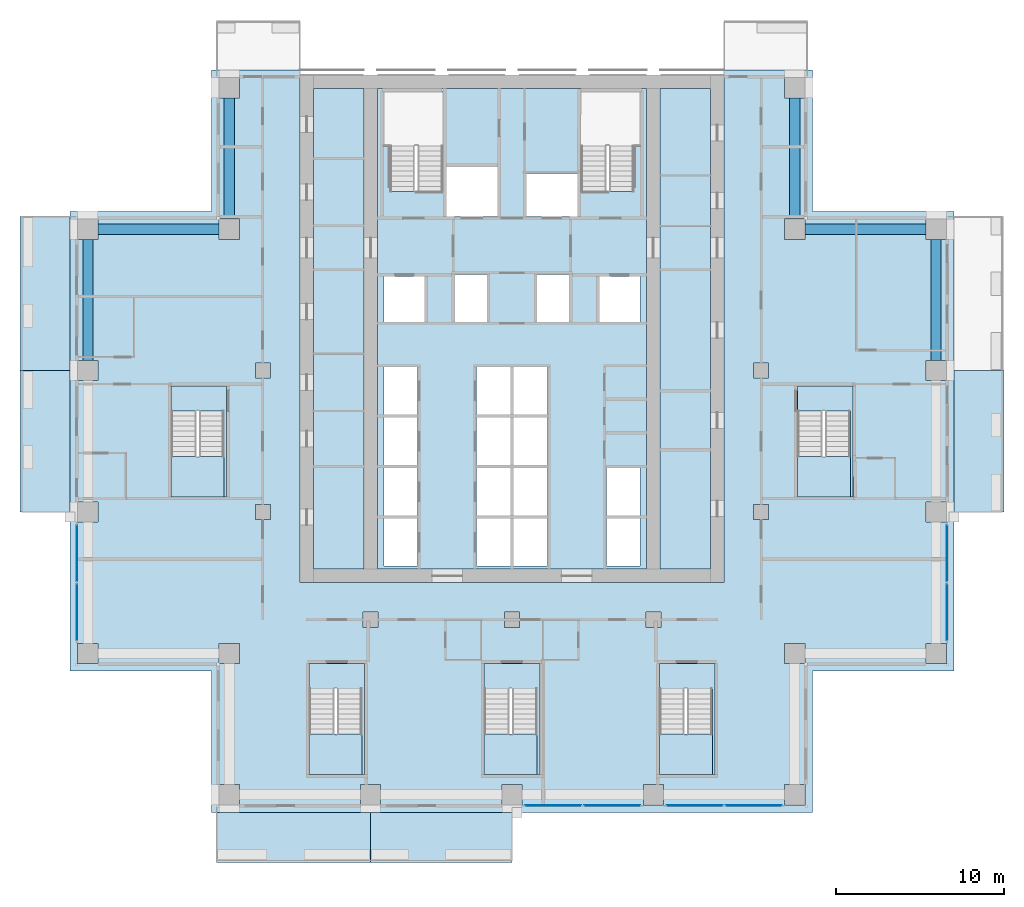
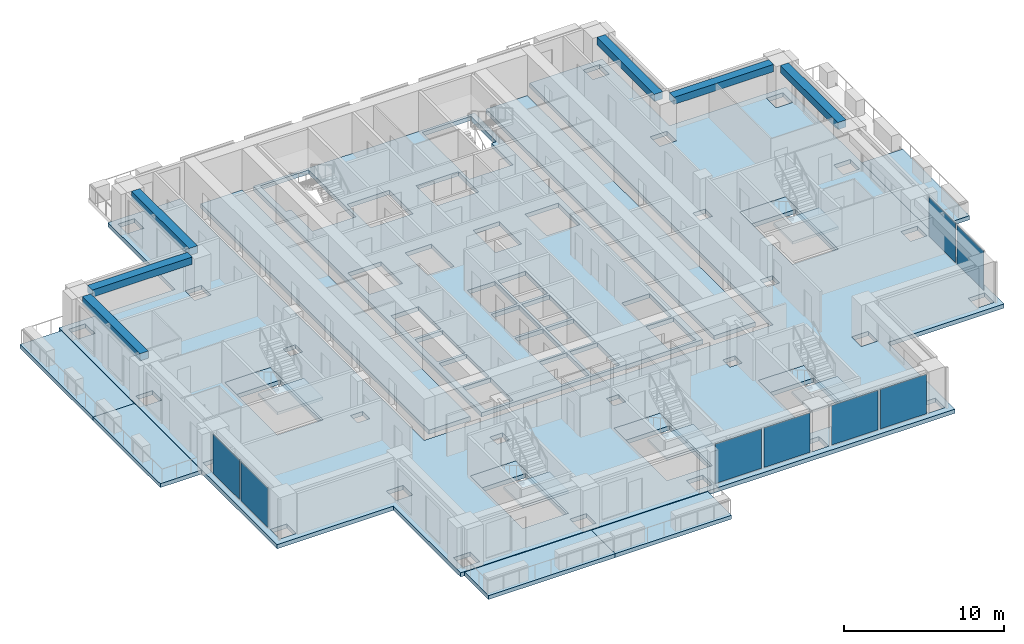
# One storey, part 5 of 16: 19 slabs, 8 plates, 6 beams, 9 elements without a shape of their own.
"""IFC4 building model written with IfcOpenShell, lengths in metres."""

from ifc_helpers import new_model, si_unit, direction, frame, origin, origin_2d, place, context, subcontext, project, spatial, polyline, rectangle, outline, extrude, material, layer, layer_set, material_profile, profile_set, type_object, element, aggregate, save


model = new_model("IFC4")

# Units and contexts
model_context = context("Model", 3, precision=1e-05, world=origin(), true_north=direction((0.0, 1.0)))
body_context = subcontext(model_context, "Body", "Model", "MODEL_VIEW")
ifc_project = project(units=[si_unit("LENGTHUNIT", "METRE"), si_unit("AREAUNIT", "SQUARE_METRE"), si_unit("VOLUMEUNIT", "CUBIC_METRE"), si_unit("PLANEANGLEUNIT", "RADIAN"), si_unit("MASSUNIT", "GRAM", prefix="KILO")], contexts=[model_context])

# Site, building, storey
site_placement = place(None, origin())
site = spatial("IfcSite", under=ifc_project, at=site_placement, CompositionType="ELEMENT")
building_placement = place(site_placement, origin())
building = spatial("IfcBuilding", under=site, at=building_placement, Name="Vermilion Ogive Tower", CompositionType="ELEMENT")
storey_placement = place(building_placement, frame((0.0, 0.0, 101.10009765625)))
storey = spatial("IfcBuildingStorey", under=building, at=storey_placement, Name="L25", CompositionType="ELEMENT", Elevation=101.10009765625)

# Beams
ifc_material_1 = material(Name="Concrete B45", Category="concrete")
ifc_material_profile = material_profile(ifc_material_1, rectangle(XDim=0.60009765625, YDim=0.550048828125, at=origin_2d()), Name="600 x 550")
ifc_profile_set = profile_set([ifc_material_profile], Name="Concrete B45")
beam_type = type_object("IfcBeamType", Name="Edge beam 600 x 550 B45", PredefinedType="BEAM", material=ifc_profile_set)
beam_1_placement = place(storey_placement, frame((25.199951171875, 4.800048828125, 2.85498046875), z_axis=(0.0, 1.0, 0.0), x_axis=(-1.0, 0.0, 0.0)))
element("IfcBeam", 1, at=beam_1_placement, inside=storey, type_object=beam_type, Name="L25-EB-9", PredefinedType="BEAM", context=body_context, shape_type="SweptSolid", body=[
    extrude(rectangle(XDim=0.60009765625, YDim=0.550048828125, at=origin_2d()), origin(), (0.0, 0.0, 1.0), 7.199951171875),
])
beam_2_placement = place(storey_placement, frame((24.60009765625, 12.60009765625, 2.85498046875), z_axis=(-1.0, 0.0, 0.0), x_axis=(0.0, -1.0, 0.0)))
element("IfcBeam", 2, at=beam_2_placement, inside=storey, type_object=beam_type, Name="L25-EB-10", PredefinedType="BEAM", context=body_context, shape_type="SweptSolid", body=[
    extrude(rectangle(XDim=0.60009765625, YDim=0.550048828125, at=origin_2d()), origin(), (0.0, 0.0, 1.0), 7.2001953125),
])
for number, where, z_axis, x_axis, name in (
    (3, (16.800048828125, 13.199951171875, 2.85498046875), (0.0, 1.0, 0.0), (-1.0, 0.0, 0.0), "L25-EB-11"),
    (4, (-16.800048828125, 20.39990234375, 2.85498046875), (0.0, -1.0, 0.0), (1.0, 0.0, 0.0), "L25-EB-12"),
):
    element("IfcBeam", number, at=place(storey_placement, frame(where, z_axis=z_axis, x_axis=x_axis)), inside=storey, type_object=beam_type, Name=name, PredefinedType="BEAM", context=body_context, shape_type="SweptSolid", body=[
        extrude(rectangle(XDim=0.60009765625, YDim=0.550048828125, at=origin_2d()), origin(), (0.0, 0.0, 1.0), 7.199951171875),
    ])
beam_3_placement = place(storey_placement, frame((-17.39990234375, 12.60009765625, 2.85498046875), z_axis=(-1.0, 0.0, 0.0), x_axis=(0.0, -1.0, 0.0)))
element("IfcBeam", 5, at=beam_3_placement, inside=storey, type_object=beam_type, Name="L25-EB-13", PredefinedType="BEAM", context=body_context, shape_type="SweptSolid", body=[
    extrude(rectangle(XDim=0.60009765625, YDim=0.550048828125, at=origin_2d()), origin(), (0.0, 0.0, 1.0), 7.2001953125),
])
beam_4_placement = place(storey_placement, frame((-25.199951171875, 12.0, 2.85498046875), z_axis=(0.0, -1.0, 0.0), x_axis=(1.0, 0.0, 0.0)))
element("IfcBeam", 6, at=beam_4_placement, inside=storey, type_object=beam_type, Name="L25-EB-14", PredefinedType="BEAM", context=body_context, shape_type="SweptSolid", body=[
    extrude(rectangle(XDim=0.60009765625, YDim=0.550048828125, at=origin_2d()), origin(), (0.0, 0.0, 1.0), 7.199951171875),
])

# Slabs
ifc_material_2 = material(Name="Concrete B40", Category="concrete")
ifc_layer_1 = layer(ifc_material_2, 0.300048828125)
ifc_layer_set_1 = layer_set([ifc_layer_1], Name="Balcony slab")
slab_type_1 = type_object("IfcSlabType", Name="Balcony slab", PredefinedType="FLOOR", material=ifc_layer_set_1)
slab_1_placement = place(storey_placement, frame((0.0, 0.0, -0.340087890625)))
element("IfcSlab", 7, at=slab_1_placement, inside=storey, type_object=slab_type_1, Name="Balcony slab S01", PredefinedType="FLOOR", context=body_context, shape_type="SweptSolid", body=[
    extrude(outline(polyline([(-17.550048828125, -25.030029296875), (-8.39990234375, -25.030029296875), (-8.39990234375, -22.050048828125), (-17.550048828125, -22.050048828125), (-17.550048828125, -25.030029296875)])), origin(), (0.0, 0.0, 1.0), 0.300048828125),
])
slab_2_placement = place(storey_placement, frame((0.0, 0.0, -0.340087890625)))
element("IfcSlab", 8, at=slab_2_placement, inside=storey, type_object=slab_type_1, Name="Balcony slab S02", PredefinedType="FLOOR", context=body_context, shape_type="SweptSolid", body=[
    extrude(outline(polyline([(-8.39990234375, -25.030029296875), (0.0, -25.030029296875), (0.0, -22.050048828125), (-8.39990234375, -22.050048828125), (-8.39990234375, -25.030029296875)])), origin(), (0.0, 0.0, 1.0), 0.300048828125),
])
slab_3_placement = place(storey_placement, frame((0.0, 0.0, -0.340087890625)))
element("IfcSlab", 9, at=slab_3_placement, inside=storey, type_object=slab_type_1, Name="Balcony slab E02", PredefinedType="FLOOR", context=body_context, shape_type="SweptSolid", body=[
    extrude(outline(polyline([(29.22998046875, -4.199951171875), (29.22998046875, 4.199951171875), (26.25, 4.199951171875), (26.25, -4.199951171875), (29.22998046875, -4.199951171875)])), origin(), (0.0, 0.0, 1.0), 0.300048828125),
])
slab_4_placement = place(storey_placement, frame((0.0, 0.0, -0.340087890625)))
element("IfcSlab", 10, at=slab_4_placement, inside=storey, type_object=slab_type_1, Name="Balcony slab W01", PredefinedType="FLOOR", context=body_context, shape_type="SweptSolid", body=[
    extrude(outline(polyline([(-29.22998046875, 13.35009765625), (-29.22998046875, 4.199951171875), (-26.25, 4.199951171875), (-26.25, 13.35009765625), (-29.22998046875, 13.35009765625)])), origin(), (0.0, 0.0, 1.0), 0.300048828125),
])
slab_5_placement = place(storey_placement, frame((0.0, 0.0, -0.340087890625)))
element("IfcSlab", 11, at=slab_5_placement, inside=storey, type_object=slab_type_1, Name="Balcony slab W02", PredefinedType="FLOOR", context=body_context, shape_type="SweptSolid", body=[
    extrude(outline(polyline([(-29.22998046875, 4.199951171875), (-29.22998046875, -4.199951171875), (-26.25, -4.199951171875), (-26.25, 4.199951171875), (-29.22998046875, 4.199951171875)])), origin(), (0.0, 0.0, 1.0), 0.300048828125),
])

# Curtain wall, plates
ifc_material_3 = material(Name="Low-iron laminated glazing in aluminium frame", Category="aluminium")
curtain_wall_type = type_object("IfcCurtainWallType", Name="Curtain wall CW7", PredefinedType="NOTDEFINED", material=ifc_material_3)
curtain_wall_1_placement = place(storey_placement, origin())
curtain_wall_1 = element("IfcCurtainWall", 12, at=curtain_wall_1_placement, inside=storey, type_object=curtain_wall_type, Name="Glazed skin S3", PredefinedType="NOTDEFINED")
ifc_material_4 = material(Name="Low-iron laminated glazing in aluminium frame", Category="aluminium")
ifc_layer_2 = layer(ifc_material_4, 0.031982421875)
ifc_layer_set_2 = layer_set([ifc_layer_2], Name="CW7 glazing panel 32")
plate_type = type_object("IfcPlateType", Name="CW7 glazing panel 32", PredefinedType="CURTAIN_PANEL", material=ifc_layer_set_2)
plate_1_placement = place(storey_placement, frame((2.445068359375, -21.64990234375, 0.06005859375), z_axis=(0.0, 0.0, 1.0), x_axis=(1.0, 0.0, 0.0)))
plate_1 = element("IfcPlate", 13, at=plate_1_placement, type_object=plate_type, Name="CW7-S3 panel 1.1", PredefinedType="CURTAIN_PANEL", context=body_context, shape_type="SweptSolid", body=[
    extrude(rectangle(XDim=3.330078125, YDim=0.031982421875, at=origin_2d()), origin(), (0.0, 0.0, 1.0), 3.010009765625),
])
plate_2_placement = place(storey_placement, frame((5.955078125, -21.64990234375, 0.06005859375), z_axis=(0.0, 0.0, 1.0), x_axis=(1.0, 0.0, 0.0)))
plate_2 = element("IfcPlate", 14, at=plate_2_placement, type_object=plate_type, Name="CW7-S3 panel 2.1", PredefinedType="CURTAIN_PANEL", context=body_context, shape_type="SweptSolid", body=[
    extrude(rectangle(XDim=3.330078125, YDim=0.031982421875, at=origin_2d()), origin(), (0.0, 0.0, 1.0), 3.010009765625),
])
aggregate(curtain_wall_1, [plate_1, plate_2])

curtain_wall_2_placement = place(storey_placement, origin())
curtain_wall_2 = element("IfcCurtainWall", 15, at=curtain_wall_2_placement, inside=storey, type_object=curtain_wall_type, Name="Glazed skin S4", PredefinedType="NOTDEFINED")
plate_3_placement = place(storey_placement, frame((10.844970703125, -21.64990234375, 0.06005859375), z_axis=(0.0, 0.0, 1.0), x_axis=(1.0, 0.0, 0.0)))
plate_3 = element("IfcPlate", 16, at=plate_3_placement, type_object=plate_type, Name="CW7-S4 panel 1.1", PredefinedType="CURTAIN_PANEL", context=body_context, shape_type="SweptSolid", body=[
    extrude(rectangle(XDim=3.330078125, YDim=0.031982421875, at=origin_2d()), origin(), (0.0, 0.0, 1.0), 3.010009765625),
])
plate_4_placement = place(storey_placement, frame((14.35498046875, -21.64990234375, 0.06005859375), z_axis=(0.0, 0.0, 1.0), x_axis=(1.0, 0.0, 0.0)))
plate_4 = element("IfcPlate", 17, at=plate_4_placement, type_object=plate_type, Name="CW7-S4 panel 2.1", PredefinedType="CURTAIN_PANEL", context=body_context, shape_type="SweptSolid", body=[
    extrude(rectangle(XDim=3.330078125, YDim=0.031982421875, at=origin_2d()), origin(), (0.0, 0.0, 1.0), 3.010009765625),
])
aggregate(curtain_wall_2, [plate_3, plate_4])

curtain_wall_3_placement = place(storey_placement, origin())
curtain_wall_3 = element("IfcCurtainWall", 18, at=curtain_wall_3_placement, inside=storey, type_object=curtain_wall_type, Name="Glazed skin E1", PredefinedType="NOTDEFINED")
plate_5_placement = place(storey_placement, frame((25.85009765625, -10.155029296875, 0.06005859375), z_axis=(0.0, 0.0, 1.0), x_axis=(0.0, 1.0, 0.0)))
plate_5 = element("IfcPlate", 19, at=plate_5_placement, type_object=plate_type, Name="CW7-E1 panel 1.1", PredefinedType="CURTAIN_PANEL", context=body_context, shape_type="SweptSolid", body=[
    extrude(rectangle(XDim=3.330078125, YDim=0.031982421875, at=origin_2d()), origin(), (0.0, 0.0, 1.0), 3.010009765625),
])
plate_6_placement = place(storey_placement, frame((25.85009765625, -6.64501953125, 0.06005859375), z_axis=(0.0, 0.0, 1.0), x_axis=(0.0, 1.0, 0.0)))
plate_6 = element("IfcPlate", 20, at=plate_6_placement, type_object=plate_type, Name="CW7-E1 panel 2.1", PredefinedType="CURTAIN_PANEL", context=body_context, shape_type="SweptSolid", body=[
    extrude(rectangle(XDim=3.330078125, YDim=0.031982421875, at=origin_2d()), origin(), (0.0, 0.0, 1.0), 3.010009765625),
])
aggregate(curtain_wall_3, [plate_5, plate_6])

curtain_wall_4_placement = place(storey_placement, origin())
curtain_wall_4 = element("IfcCurtainWall", 21, at=curtain_wall_4_placement, inside=storey, type_object=curtain_wall_type, Name="Glazed skin W3", PredefinedType="NOTDEFINED")
plate_7_placement = place(storey_placement, frame((-25.85009765625, -6.64501953125, 0.06005859375), z_axis=(0.0, 0.0, 1.0), x_axis=(0.0, -1.0, 0.0)))
plate_7 = element("IfcPlate", 22, at=plate_7_placement, type_object=plate_type, Name="CW7-W3 panel 1.1", PredefinedType="CURTAIN_PANEL", context=body_context, shape_type="SweptSolid", body=[
    extrude(rectangle(XDim=3.330078125, YDim=0.031982421875, at=origin_2d()), origin(), (0.0, 0.0, 1.0), 3.010009765625),
])
plate_8_placement = place(storey_placement, frame((-25.85009765625, -10.155029296875, 0.06005859375), z_axis=(0.0, 0.0, 1.0), x_axis=(0.0, -1.0, 0.0)))
plate_8 = element("IfcPlate", 23, at=plate_8_placement, type_object=plate_type, Name="CW7-W3 panel 2.1", PredefinedType="CURTAIN_PANEL", context=body_context, shape_type="SweptSolid", body=[
    extrude(rectangle(XDim=3.330078125, YDim=0.031982421875, at=origin_2d()), origin(), (0.0, 0.0, 1.0), 3.010009765625),
])
aggregate(curtain_wall_4, [plate_7, plate_8])

# Slabs
ifc_material_5 = material(Name="Concrete B40", Category="concrete")
ifc_layer_3 = layer(ifc_material_5, 0.320068359375)
ifc_layer_set_3 = layer_set([ifc_layer_3], Name="Core floor slab 320 B40")
slab_type_2 = type_object("IfcSlabType", Name="Core floor slab 320 B40", PredefinedType="FLOOR", material=ifc_layer_set_3)
slab_6_placement = place(storey_placement, frame((0.0, 0.0, -0.320068359375)))
element("IfcSlab", 24, at=slab_6_placement, inside=storey, type_object=slab_type_2, Name="L25-CK-FS1", PredefinedType="FLOOR", context=body_context, shape_type="SweptSolid", body=[
    extrude(outline(polyline([(-8.803955078125, 20.946044921875), (-8.803955078125, -7.595947265625), (-11.7958984375, -7.595947265625), (-11.7958984375, 20.946044921875), (-8.803955078125, 20.946044921875)])), origin(), (0.0, 0.0, 1.0), 0.320068359375),
])
slab_7_placement = place(storey_placement, frame((0.0, 0.0, -0.320068359375)))
element("IfcSlab", 25, at=slab_7_placement, inside=storey, type_object=slab_type_2, Name="L25-CK-FS2", PredefinedType="FLOOR", context=body_context, shape_type="SweptSolid", body=[
    extrude(outline(polyline([(-7.99609375, 20.946044921875), (-7.99609375, -7.595947265625), (7.99609375, -7.595947265625), (7.99609375, 20.946044921875), (-7.99609375, 20.946044921875)]), holes=[polyline([(-7.60009765625, -4.60009765625), (-5.60009765625, -4.60009765625), (-5.60009765625, -7.39990234375), (-7.60009765625, -7.39990234375), (-7.60009765625, -4.60009765625)]), polyline([(-2.10009765625, -4.60009765625), (-0.10009765625, -4.60009765625), (-0.10009765625, -7.39990234375), (-2.10009765625, -7.39990234375), (-2.10009765625, -4.60009765625)]), polyline([(-7.60009765625, -4.39990234375), (-7.60009765625, -1.60009765625), (-5.60009765625, -1.60009765625), (-5.60009765625, -4.39990234375), (-7.60009765625, -4.39990234375)]), polyline([(-2.10009765625, -1.60009765625), (-0.10009765625, -1.60009765625), (-0.10009765625, -4.39990234375), (-2.10009765625, -4.39990234375), (-2.10009765625, -1.60009765625)]), polyline([(-7.60009765625, -1.39990234375), (-7.60009765625, 1.39990234375), (-5.60009765625, 1.39990234375), (-5.60009765625, -1.39990234375), (-7.60009765625, -1.39990234375)]), polyline([(-2.10009765625, 1.39990234375), (-0.10009765625, 1.39990234375), (-0.10009765625, -1.39990234375), (-2.10009765625, -1.39990234375), (-2.10009765625, 1.39990234375)]), polyline([(-7.60009765625, 4.39990234375), (-5.60009765625, 4.39990234375), (-5.60009765625, 1.60009765625), (-7.60009765625, 1.60009765625), (-7.60009765625, 4.39990234375)]), polyline([(-2.10009765625, 4.39990234375), (-0.10009765625, 4.39990234375), (-0.10009765625, 1.60009765625), (-2.10009765625, 1.60009765625), (-2.10009765625, 4.39990234375)]), polyline([(-7.60009765625, 9.800048828125), (-5.199951171875, 9.800048828125), (-5.199951171875, 7.10009765625), (-7.60009765625, 7.10009765625), (-7.60009765625, 9.800048828125)]), polyline([(-3.39990234375, 9.89990234375), (-1.5, 9.89990234375), (-1.5, 7.10009765625), (-3.39990234375, 7.10009765625), (-3.39990234375, 9.89990234375)]), polyline([(-3.89990234375, 16.300048828125), (-0.85009765625, 16.300048828125), (-0.85009765625, 13.35009765625), (-3.89990234375, 13.35009765625), (-3.89990234375, 16.300048828125)]), polyline([(-7.60009765625, 17.550048828125), (-7.60009765625, 20.75), (-4.10009765625, 20.75), (-4.10009765625, 14.85205078125), (-5.60009765625, 14.85205078125), (-5.60009765625, 14.85009765625), (-5.75, 14.85009765625), (-5.75, 14.85205078125), (-7.25, 14.85205078125), (-7.25, 17.550048828125), (-7.60009765625, 17.550048828125)]), polyline([(0.10009765625, -4.60009765625), (2.10009765625, -4.60009765625), (2.10009765625, -7.39990234375), (0.10009765625, -7.39990234375), (0.10009765625, -4.60009765625)]), polyline([(5.60009765625, -4.60009765625), (7.60009765625, -4.60009765625), (7.60009765625, -7.39990234375), (5.60009765625, -7.39990234375), (5.60009765625, -4.60009765625)]), polyline([(0.10009765625, -1.60009765625), (2.10009765625, -1.60009765625), (2.10009765625, -4.39990234375), (0.10009765625, -4.39990234375), (0.10009765625, -1.60009765625)]), polyline([(5.60009765625, -1.60009765625), (7.60009765625, -1.60009765625), (7.60009765625, -4.39990234375), (5.60009765625, -4.39990234375), (5.60009765625, -1.60009765625)]), polyline([(0.10009765625, 1.39990234375), (2.10009765625, 1.39990234375), (2.10009765625, -1.39990234375), (0.10009765625, -1.39990234375), (0.10009765625, 1.39990234375)]), polyline([(0.10009765625, 4.39990234375), (2.10009765625, 4.39990234375), (2.10009765625, 1.60009765625), (0.10009765625, 1.60009765625), (0.10009765625, 4.39990234375)]), polyline([(5.199951171875, 9.800048828125), (7.60009765625, 9.800048828125), (7.60009765625, 7.10009765625), (5.199951171875, 7.10009765625), (5.199951171875, 9.800048828125)]), polyline([(1.5, 9.89990234375), (3.39990234375, 9.89990234375), (3.39990234375, 7.10009765625), (1.5, 7.10009765625), (1.5, 9.89990234375)]), polyline([(0.85009765625, 15.89990234375), (3.89990234375, 15.89990234375), (3.89990234375, 13.35009765625), (0.85009765625, 13.35009765625), (0.85009765625, 15.89990234375)]), polyline([(5.75, 14.85009765625), (5.60009765625, 14.85009765625), (5.60009765625, 14.85205078125), (4.10009765625, 14.85205078125), (4.10009765625, 17.550048828125), (4.074951171875, 17.550048828125), (4.074951171875, 20.75), (7.60009765625, 20.75), (7.60009765625, 17.550048828125), (7.25, 17.550048828125), (7.25, 14.85205078125), (5.75, 14.85205078125), (5.75, 14.85009765625)])]), origin(), (0.0, 0.0, 1.0), 0.320068359375),
])
slab_8_placement = place(storey_placement, frame((0.0, 0.0, -0.320068359375)))
element("IfcSlab", 26, at=slab_8_placement, inside=storey, type_object=slab_type_2, Name="L25-CK-FS3", PredefinedType="FLOOR", context=body_context, shape_type="SweptSolid", body=[
    extrude(outline(polyline([(11.7958984375, -7.595947265625), (8.803955078125, -7.595947265625), (8.803955078125, 20.946044921875), (11.7958984375, 20.946044921875), (11.7958984375, -7.595947265625)])), origin(), (0.0, 0.0, 1.0), 0.320068359375),
])
slab_9_placement = place(storey_placement, frame((0.0, 0.0, -0.320068359375)))
element("IfcSlab", 27, at=slab_9_placement, inside=storey, type_object=slab_type_2, Name="L25-SF-ST3-1", PredefinedType="FLOOR", context=body_context, shape_type="SweptSolid", body=[
    extrude(outline(polyline([(-12.050048828125, -13.199951171875), (-12.050048828125, -14.701904296875), (-10.550048828125, -14.701904296875), (-10.550048828125, -14.699951171875), (-10.39990234375, -14.699951171875), (-10.39990234375, -14.701904296875), (-8.89990234375, -14.701904296875), (-8.89990234375, -19.800048828125), (-8.75, -19.800048828125), (-8.75, -13.199951171875), (-12.050048828125, -13.199951171875)])), origin(), (0.0, 0.0, 1.0), 0.320068359375),
])
slab_10_placement = place(storey_placement, frame((0.0, 0.0, -0.320068359375)))
element("IfcSlab", 28, at=slab_10_placement, inside=storey, type_object=slab_type_2, Name="L25-SF-ST4-1", PredefinedType="FLOOR", context=body_context, shape_type="SweptSolid", body=[
    extrude(outline(polyline([(-1.64990234375, -13.199951171875), (-1.64990234375, -14.701904296875), (-0.14990234375, -14.701904296875), (-0.14990234375, -14.699951171875), (0.0, -14.699951171875), (0.0, -14.701904296875), (1.5, -14.701904296875), (1.5, -19.800048828125), (1.64990234375, -19.800048828125), (1.64990234375, -13.199951171875), (-1.64990234375, -13.199951171875)])), origin(), (0.0, 0.0, 1.0), 0.320068359375),
])
slab_11_placement = place(storey_placement, frame((0.0, 0.0, -0.320068359375)))
element("IfcSlab", 29, at=slab_11_placement, inside=storey, type_object=slab_type_2, Name="L25-SF-ST5-1", PredefinedType="FLOOR", context=body_context, shape_type="SweptSolid", body=[
    extrude(outline(polyline([(8.75, -13.199951171875), (8.75, -14.701904296875), (10.25, -14.701904296875), (10.25, -14.699951171875), (10.39990234375, -14.699951171875), (10.39990234375, -14.701904296875), (11.89990234375, -14.701904296875), (11.89990234375, -19.800048828125), (12.050048828125, -19.800048828125), (12.050048828125, -13.199951171875), (8.75, -13.199951171875)])), origin(), (0.0, 0.0, 1.0), 0.320068359375),
])
slab_12_placement = place(storey_placement, frame((0.0, 0.0, -0.320068359375)))
element("IfcSlab", 30, at=slab_12_placement, inside=storey, type_object=slab_type_2, Name="L25-SF-ST8-1", PredefinedType="FLOOR", context=body_context, shape_type="SweptSolid", body=[
    extrude(outline(polyline([(16.949951171875, 3.300048828125), (16.949951171875, 1.798095703125), (18.449951171875, 1.798095703125), (18.449951171875, 1.800048828125), (18.60009765625, 1.800048828125), (18.60009765625, 1.798095703125), (20.10009765625, 1.798095703125), (20.10009765625, -3.300048828125), (20.25, -3.300048828125), (20.25, 3.300048828125), (16.949951171875, 3.300048828125)])), origin(), (0.0, 0.0, 1.0), 0.320068359375),
])
slab_13_placement = place(storey_placement, frame((0.0, 0.0, -0.320068359375)))
element("IfcSlab", 31, at=slab_13_placement, inside=storey, type_object=slab_type_2, Name="L25-SF-ST9-1", PredefinedType="FLOOR", context=body_context, shape_type="SweptSolid", body=[
    extrude(outline(polyline([(-20.25, 3.300048828125), (-20.25, 1.798095703125), (-18.75, 1.798095703125), (-18.75, 1.800048828125), (-18.60009765625, 1.800048828125), (-18.60009765625, 1.798095703125), (-17.10009765625, 1.798095703125), (-17.10009765625, -3.300048828125), (-16.949951171875, -3.300048828125), (-16.949951171875, 3.300048828125), (-20.25, 3.300048828125)])), origin(), (0.0, 0.0, 1.0), 0.320068359375),
])
ifc_material_6 = material(Name="Concrete B45", Category="concrete")
ifc_layer_4 = layer(ifc_material_6, 0.320068359375)
ifc_layer_set_4 = layer_set([ifc_layer_4], Name="Post-tensioned flat plate 320 B45")
slab_type_3 = type_object("IfcSlabType", Name="Post-tensioned flat plate 320 B45", PredefinedType="FLOOR", material=ifc_layer_set_4)
slab_14_placement = place(storey_placement, frame((0.0, 0.0, -0.320068359375)))
element("IfcSlab", 32, at=slab_14_placement, inside=storey, type_object=slab_type_3, Name="L25-SL-1", PredefinedType="FLOOR", context=body_context, shape_type="SweptSolid", body=[
    extrude(outline(polyline([(-26.25, -13.64990234375), (-17.85009765625, -13.64990234375), (-17.85009765625, -22.050048828125), (17.85009765625, -22.050048828125), (17.85009765625, -13.64990234375), (26.25, -13.64990234375), (26.25, 13.64990234375), (17.85009765625, 13.64990234375), (17.85009765625, 22.050048828125), (12.60009765625, 22.050048828125), (12.60009765625, -8.39990234375), (-12.60009765625, -8.39990234375), (-12.60009765625, 22.050048828125), (-17.85009765625, 22.050048828125), (-17.85009765625, 13.64990234375), (-26.25, 13.64990234375), (-26.25, -13.64990234375)]), holes=[polyline([(25.800048828125, -3.60009765625), (25.800048828125, -4.800048828125), (24.60009765625, -4.800048828125), (24.60009765625, -3.60009765625), (25.800048828125, -3.60009765625)]), polyline([(25.800048828125, -12.0), (25.800048828125, -13.199951171875), (24.60009765625, -13.199951171875), (24.60009765625, -12.0), (25.800048828125, -12.0)]), polyline([(25.800048828125, 12.0), (24.60009765625, 12.0), (24.60009765625, 13.199951171875), (25.800048828125, 13.199951171875), (25.800048828125, 12.0)]), polyline([(25.800048828125, 3.60009765625), (24.60009765625, 3.60009765625), (24.60009765625, 4.800048828125), (25.800048828125, 4.800048828125), (25.800048828125, 3.60009765625)]), polyline([(20.25, -3.2998046875), (20.25, -3.300048828125), (16.949951171875, -3.300048828125), (16.949951171875, 3.300048828125), (20.25, 3.300048828125), (20.25, -0.89990234375), (20.275146484375, -0.89990234375), (20.275146484375, -3.2998046875), (20.25, -3.2998046875)]), polyline([(17.39990234375, -12.0), (17.39990234375, -13.199951171875), (16.199951171875, -13.199951171875), (16.199951171875, -12.0), (17.39990234375, -12.0)]), polyline([(17.39990234375, 20.39990234375), (16.199951171875, 20.39990234375), (16.199951171875, 21.60009765625), (17.39990234375, 21.60009765625), (17.39990234375, 20.39990234375)]), polyline([(17.39990234375, -20.39990234375), (17.39990234375, -21.60009765625), (16.199951171875, -21.60009765625), (16.199951171875, -20.39990234375), (17.39990234375, -20.39990234375)]), polyline([(17.39990234375, 13.199951171875), (17.39990234375, 12.0), (16.199951171875, 12.0), (16.199951171875, 13.199951171875), (17.39990234375, 13.199951171875)]), polyline([(15.25, 4.64990234375), (15.25, 3.75), (14.35009765625, 3.75), (14.35009765625, 4.64990234375), (15.25, 4.64990234375)]), polyline([(15.25, -4.64990234375), (14.35009765625, -4.64990234375), (14.35009765625, -3.75), (15.25, -3.75), (15.25, -4.64990234375)]), polyline([(12.050048828125, -13.199951171875), (12.050048828125, -19.800048828125), (8.75, -19.800048828125), (8.75, -13.199951171875), (12.050048828125, -13.199951171875)]), polyline([(9.0, -20.39990234375), (9.0, -21.60009765625), (7.800048828125, -21.60009765625), (7.800048828125, -20.39990234375), (9.0, -20.39990234375)]), polyline([(8.85009765625, -11.050048828125), (7.949951171875, -11.050048828125), (7.949951171875, -10.14990234375), (8.85009765625, -10.14990234375), (8.85009765625, -11.050048828125)]), polyline([(1.64990234375, -13.199951171875), (1.64990234375, -19.800048828125), (-1.64990234375, -19.800048828125), (-1.64990234375, -13.199951171875), (1.64990234375, -13.199951171875)]), polyline([(0.60009765625, -20.39990234375), (0.60009765625, -21.60009765625), (-0.60009765625, -21.60009765625), (-0.60009765625, -20.39990234375), (0.60009765625, -20.39990234375)]), polyline([(0.449951171875, -10.14990234375), (0.449951171875, -11.050048828125), (-0.449951171875, -11.050048828125), (-0.449951171875, -10.14990234375), (0.449951171875, -10.14990234375)]), polyline([(-7.800048828125, -20.39990234375), (-7.800048828125, -21.60009765625), (-9.0, -21.60009765625), (-9.0, -20.39990234375), (-7.800048828125, -20.39990234375)]), polyline([(-7.949951171875, -10.14990234375), (-7.949951171875, -11.050048828125), (-8.85009765625, -11.050048828125), (-8.85009765625, -10.14990234375), (-7.949951171875, -10.14990234375)]), polyline([(-8.75, -13.199951171875), (-8.75, -19.800048828125), (-12.050048828125, -19.800048828125), (-12.050048828125, -13.199951171875), (-8.75, -13.199951171875)]), polyline([(-14.35009765625, 4.64990234375), (-14.35009765625, 3.75), (-15.25, 3.75), (-15.25, 4.64990234375), (-14.35009765625, 4.64990234375)]), polyline([(-14.35009765625, -4.64990234375), (-15.25, -4.64990234375), (-15.25, -3.75), (-14.35009765625, -3.75), (-14.35009765625, -4.64990234375)]), polyline([(-16.199951171875, 13.199951171875), (-16.199951171875, 12.0), (-17.39990234375, 12.0), (-17.39990234375, 13.199951171875), (-16.199951171875, 13.199951171875)]), polyline([(-16.199951171875, -12.0), (-16.199951171875, -13.199951171875), (-17.39990234375, -13.199951171875), (-17.39990234375, -12.0), (-16.199951171875, -12.0)]), polyline([(-16.199951171875, -20.39990234375), (-16.199951171875, -21.60009765625), (-17.39990234375, -21.60009765625), (-17.39990234375, -20.39990234375), (-16.199951171875, -20.39990234375)]), polyline([(-16.199951171875, 20.39990234375), (-17.39990234375, 20.39990234375), (-17.39990234375, 21.60009765625), (-16.199951171875, 21.60009765625), (-16.199951171875, 20.39990234375)]), polyline([(-16.949951171875, 3.300048828125), (-16.949951171875, -3.300048828125), (-20.25, -3.300048828125), (-20.25, 3.300048828125), (-16.949951171875, 3.300048828125)]), polyline([(-24.60009765625, 3.60009765625), (-25.800048828125, 3.60009765625), (-25.800048828125, 4.800048828125), (-24.60009765625, 4.800048828125), (-24.60009765625, 3.60009765625)]), polyline([(-24.60009765625, 13.199951171875), (-24.60009765625, 12.0), (-25.800048828125, 12.0), (-25.800048828125, 13.199951171875), (-24.60009765625, 13.199951171875)]), polyline([(-24.60009765625, -3.60009765625), (-24.60009765625, -4.800048828125), (-25.800048828125, -4.800048828125), (-25.800048828125, -3.60009765625), (-24.60009765625, -3.60009765625)]), polyline([(-24.60009765625, -12.0), (-24.60009765625, -13.199951171875), (-25.800048828125, -13.199951171875), (-25.800048828125, -12.0), (-24.60009765625, -12.0)])]), origin(), (0.0, 0.0, 1.0), 0.320068359375),
])

# Stair, slab
ifc_material_7 = material(Name="Concrete B40", Category="concrete")
stair_type = type_object("IfcStairType", Name="Exit stair 1500", PredefinedType="HALF_TURN_STAIR", material=ifc_material_7)
stair_1_placement = place(storey_placement, origin())
stair_1 = element("IfcStair", 33, at=stair_1_placement, inside=storey, type_object=stair_type, Name="L25 Exit Stair ST3", PredefinedType="HALF_TURN_STAIR")
ifc_material_8 = material(Name="Concrete B40", Category="concrete")
ifc_layer_5 = layer(ifc_material_8, 0.199951171875)
ifc_layer_set_5 = layer_set([ifc_layer_5], Name="Stair landing 200")
slab_type_4 = type_object("IfcSlabType", Name="Stair landing 200", PredefinedType="LANDING", material=ifc_layer_set_5)
slab_15_placement = place(storey_placement, frame((0.0, 0.0, 1.52490234375)))
slab_15 = element("IfcSlab", 34, at=slab_15_placement, type_object=slab_type_4, Name="ST3 landing 1", PredefinedType="LANDING", context=body_context, shape_type="SweptSolid", body=[
    extrude(outline(polyline([(-8.75, -17.39990234375), (-8.89990234375, -17.39990234375), (-8.89990234375, -17.39794921875), (-10.39990234375, -17.39794921875), (-10.39990234375, -17.39990234375), (-10.550048828125, -17.39990234375), (-10.550048828125, -17.39794921875), (-12.050048828125, -17.39794921875), (-12.050048828125, -19.800048828125), (-8.75, -19.800048828125), (-8.75, -17.39990234375)])), origin(), (0.0, 0.0, 1.0), 0.199951171875),
])
aggregate(stair_1, [slab_15])

stair_2_placement = place(storey_placement, origin())
stair_2 = element("IfcStair", 35, at=stair_2_placement, inside=storey, type_object=stair_type, Name="L25 Exit Stair ST4", PredefinedType="HALF_TURN_STAIR")
slab_16_placement = place(storey_placement, frame((0.0, 0.0, 1.52490234375)))
slab_16 = element("IfcSlab", 36, at=slab_16_placement, type_object=slab_type_4, Name="ST4 landing 1", PredefinedType="LANDING", context=body_context, shape_type="SweptSolid", body=[
    extrude(outline(polyline([(1.64990234375, -17.39990234375), (1.5, -17.39990234375), (1.5, -17.39794921875), (0.0, -17.39794921875), (0.0, -17.39990234375), (-0.14990234375, -17.39990234375), (-0.14990234375, -17.39794921875), (-1.64990234375, -17.39794921875), (-1.64990234375, -19.7998046875), (1.64990234375, -19.7998046875), (1.64990234375, -17.39990234375)])), origin(), (0.0, 0.0, 1.0), 0.199951171875),
])
aggregate(stair_2, [slab_16])

stair_3_placement = place(storey_placement, origin())
stair_3 = element("IfcStair", 37, at=stair_3_placement, inside=storey, type_object=stair_type, Name="L25 Exit Stair ST5", PredefinedType="HALF_TURN_STAIR")
slab_17_placement = place(storey_placement, frame((0.0, 0.0, 1.52490234375)))
slab_17 = element("IfcSlab", 38, at=slab_17_placement, type_object=slab_type_4, Name="ST5 landing 1", PredefinedType="LANDING", context=body_context, shape_type="SweptSolid", body=[
    extrude(outline(polyline([(12.050048828125, -17.39990234375), (11.89990234375, -17.39990234375), (11.89990234375, -17.39794921875), (10.39990234375, -17.39794921875), (10.39990234375, -17.39990234375), (10.25, -17.39990234375), (10.25, -17.39794921875), (8.75, -17.39794921875), (8.75, -19.800048828125), (12.050048828125, -19.800048828125), (12.050048828125, -17.39990234375)])), origin(), (0.0, 0.0, 1.0), 0.199951171875),
])
aggregate(stair_3, [slab_17])

stair_4_placement = place(storey_placement, origin())
stair_4 = element("IfcStair", 39, at=stair_4_placement, inside=storey, type_object=stair_type, Name="L25 Exit Stair ST8", PredefinedType="HALF_TURN_STAIR")
slab_18_placement = place(storey_placement, frame((0.0, 0.0, 1.52490234375)))
slab_18 = element("IfcSlab", 40, at=slab_18_placement, type_object=slab_type_4, Name="ST8 landing 1", PredefinedType="LANDING", context=body_context, shape_type="SweptSolid", body=[
    extrude(outline(polyline([(20.275146484375, -0.89990234375), (20.10009765625, -0.89990234375), (20.10009765625, -0.89794921875), (18.60009765625, -0.89794921875), (18.60009765625, -0.89990234375), (18.449951171875, -0.89990234375), (18.449951171875, -0.89794921875), (16.949951171875, -0.89794921875), (16.949951171875, -0.902099609375), (16.9501953125, -0.902099609375), (16.9501953125, -3.2998046875), (20.275146484375, -3.2998046875), (20.275146484375, -0.89990234375)])), origin(), (0.0, 0.0, 1.0), 0.199951171875),
])
aggregate(stair_4, [slab_18])

stair_5_placement = place(storey_placement, origin())
stair_5 = element("IfcStair", 41, at=stair_5_placement, inside=storey, type_object=stair_type, Name="L25 Exit Stair ST9", PredefinedType="HALF_TURN_STAIR")
slab_19_placement = place(storey_placement, frame((0.0, 0.0, 1.52490234375)))
slab_19 = element("IfcSlab", 42, at=slab_19_placement, type_object=slab_type_4, Name="ST9 landing 1", PredefinedType="LANDING", context=body_context, shape_type="SweptSolid", body=[
    extrude(outline(polyline([(-16.9501953125, -0.89990234375), (-17.10009765625, -0.89990234375), (-17.10009765625, -0.89794921875), (-18.60009765625, -0.89794921875), (-18.60009765625, -0.89990234375), (-18.75, -0.89990234375), (-18.75, -0.89794921875), (-20.25, -0.89794921875), (-20.25, -0.89990234375), (-20.25, -0.89990234375), (-20.25, -3.2998046875), (-16.9501953125, -3.2998046875), (-16.9501953125, -0.89990234375)])), origin(), (0.0, 0.0, 1.0), 0.199951171875),
])
aggregate(stair_5, [slab_19])

save(model, "model.ifc")
